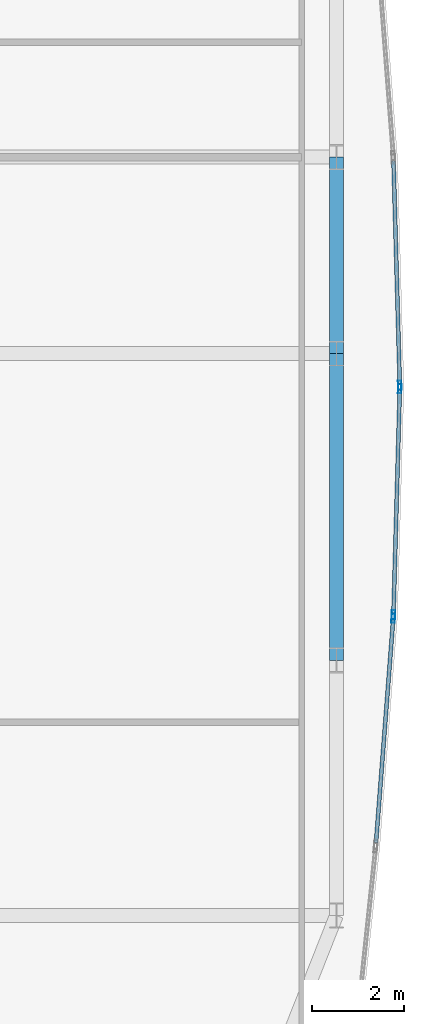
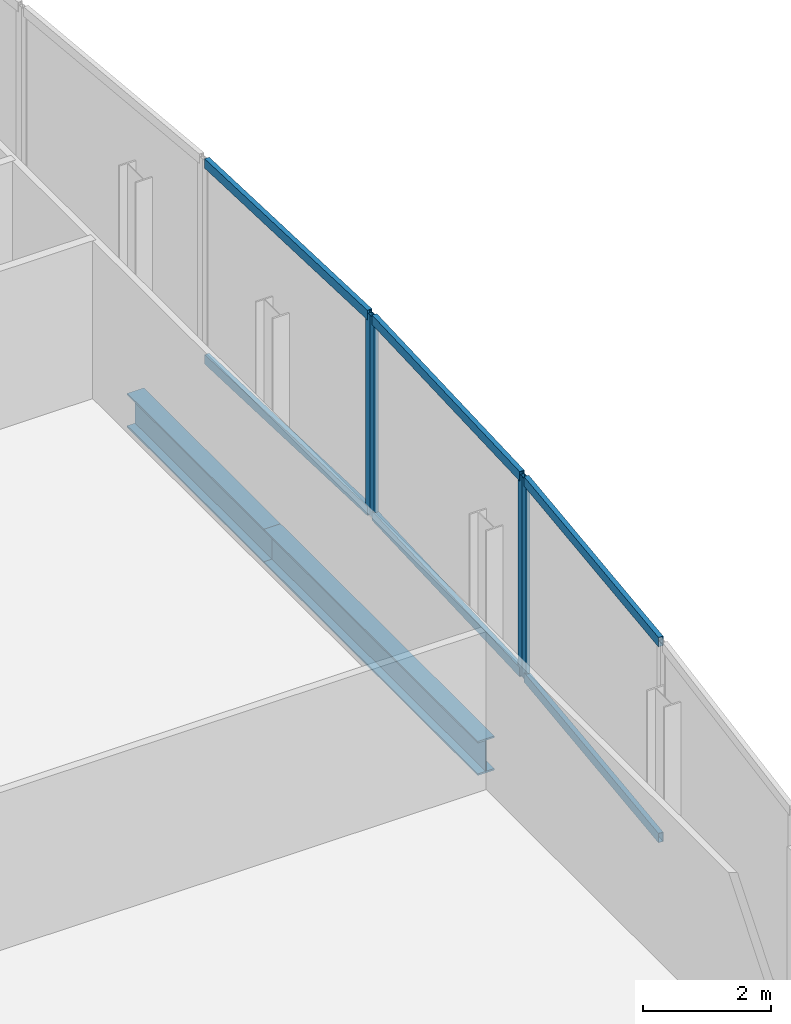
# One storey, part 22 of 30: 10 members, 2 beams, 3 elements without a shape of their own.
"""IFC4 building model written with IfcOpenShell, lengths in metres."""

from ifc_helpers import new_model, si_unit, direction, frame, origin, origin_2d, place, context, subcontext, project, spatial, hollow_rectangle, i_section, extrude, material, material_profile, profile_set, type_object, element, aggregate, save


model = new_model("IFC4")

# Units and contexts
model_context = context("Model", 3, precision=1e-05, world=origin(), true_north=direction((0.0, 1.0)))
body_context = subcontext(model_context, "Body", "Model", "MODEL_VIEW")
ifc_project = project(units=[si_unit("LENGTHUNIT", "METRE"), si_unit("AREAUNIT", "SQUARE_METRE"), si_unit("VOLUMEUNIT", "CUBIC_METRE"), si_unit("PLANEANGLEUNIT", "RADIAN"), si_unit("MASSUNIT", "GRAM", prefix="KILO")], contexts=[model_context])

# Site, building, storey
site_placement = place(None, origin())
site = spatial("IfcSite", under=ifc_project, at=site_placement, CompositionType="ELEMENT")
building_placement = place(site_placement, origin())
building = spatial("IfcBuilding", under=site, at=building_placement, Name="Khoronbel Lancet Exchange", CompositionType="ELEMENT")
storey_placement = place(building_placement, frame((0.0, 0.0, 98.60009765625)))
storey = spatial("IfcBuildingStorey", under=building, at=storey_placement, Name="L23", CompositionType="ELEMENT", Elevation=98.60009765625)

# Beams
ifc_material_1 = material(Name="Steel S355", Category="steel")
ifc_material_profile_1 = material_profile(ifc_material_1, i_section(OverallWidth=0.300048828125, OverallDepth=0.64990234375, WebThickness=0.01611328125, FlangeThickness=0.031005859375, at=origin_2d()), Name="HEB 650")
ifc_profile_set_1 = profile_set([ifc_material_profile_1], Name="Steel S355")
beam_type = type_object("IfcBeamType", Name="BM-BSP1", PredefinedType="SPANDREL", material=ifc_profile_set_1)
beam_1_placement = place(storey_placement, frame((69.6298828125, 24.75, -0.505126953125), z_axis=(0.0, 1.0, 0.0), x_axis=(-1.0, 0.0, 0.0)))
element("IfcBeam", 1, at=beam_1_placement, inside=storey, type_object=beam_type, Name="Level L23 perimeter spandrel beam SP12", PredefinedType="SPANDREL", context=body_context, shape_type="SweptSolid", body=[
    extrude(i_section(OverallWidth=0.300048828125, OverallDepth=0.64990234375, WebThickness=0.01611328125, FlangeThickness=0.031005859375, at=origin_2d()), origin(), (0.0, 0.0, 1.0), 6.675048828125),
])
beam_2_placement = place(storey_placement, frame((69.6298828125, 31.425048828125, -0.505126953125), z_axis=(0.0, 1.0, 0.0), x_axis=(-1.0, 0.0, 0.0)))
element("IfcBeam", 2, at=beam_2_placement, inside=storey, type_object=beam_type, Name="Level L23 perimeter spandrel beam SP13", PredefinedType="SPANDREL", context=body_context, shape_type="SweptSolid", body=[
    extrude(i_section(OverallWidth=0.300048828125, OverallDepth=0.64990234375, WebThickness=0.01611328125, FlangeThickness=0.031005859375, at=origin_2d()), origin(), (0.0, 0.0, 1.0), 4.27490234375),
])

# Curtain wall, member
ifc_material_2 = material(Name="Low-E Solar Control Insulating Glass", Category="glass")
curtain_wall_type = type_object("IfcCurtainWallType", Name="CW-4", PredefinedType="NOTDEFINED", material=ifc_material_2)
curtain_wall_1_placement = place(storey_placement, origin())
curtain_wall_1 = element("IfcCurtainWall", 3, at=curtain_wall_1_placement, inside=storey, type_object=curtain_wall_type, Name="Unitised curtain wall CW-L23-E19", PredefinedType="NOTDEFINED")
ifc_material_3 = material(Name="Bronze-Anodised Aluminium 6063-T6", Category="aluminium")
ifc_material_profile_2 = material_profile(ifc_material_3, hollow_rectangle(XDim=0.074951171875, YDim=0.199951171875, WallThickness=0.0048828125, at=origin_2d()), Name="ALU MULLION 75x200")
ifc_profile_set_2 = profile_set([ifc_material_profile_2], Name="Bronze-Anodised Aluminium 6063-T6")
member_type_1 = type_object("IfcMemberType", Name="MEM-CWM2", PredefinedType="MULLION", material=ifc_profile_set_2)
member_1_placement = place(storey_placement, frame((71.009033203125, 30.737548828125, 0.0), z_axis=(0.0, 0.0, 1.0), x_axis=(0.999604123662, 0.028135315146, 0.0)))
member_1 = element("IfcMember", 4, at=member_1_placement, type_object=member_type_1, Name="CW4 mullion 2", PredefinedType="MULLION", context=body_context, shape_type="SweptSolid", body=[
    extrude(hollow_rectangle(XDim=0.074951171875, YDim=0.199951171875, WallThickness=0.0048828125, at=origin_2d()), origin(), (0.0, 0.0, 1.0), 3.81982421875),
])

# Curtain wall, members
curtain_wall_2_placement = place(storey_placement, origin())
curtain_wall_2 = element("IfcCurtainWall", 5, at=curtain_wall_2_placement, inside=storey, type_object=curtain_wall_type, Name="Unitised curtain wall CW-L23-E20", PredefinedType="NOTDEFINED")
member_2_placement = place(storey_placement, frame((71.009033203125, 30.66259765625, 0.0), z_axis=(0.0, 0.0, 1.0), x_axis=(0.999604123662, -0.028135315146, 0.0)))
member_2 = element("IfcMember", 6, at=member_2_placement, type_object=member_type_1, Name="CW4 mullion 1", PredefinedType="MULLION", context=body_context, shape_type="SweptSolid", body=[
    extrude(hollow_rectangle(XDim=0.074951171875, YDim=0.199951171875, WallThickness=0.0048828125, at=origin_2d()), origin(), (0.0, 0.0, 1.0), 3.81982421875),
])
member_3_placement = place(storey_placement, frame((70.870361328125, 25.7421875, 0.0), z_axis=(0.0, 0.0, 1.0), x_axis=(0.999604123662, -0.028135315146, 0.0)))
member_3 = element("IfcMember", 7, at=member_3_placement, type_object=member_type_1, Name="CW4 mullion 2", PredefinedType="MULLION", context=body_context, shape_type="SweptSolid", body=[
    extrude(hollow_rectangle(XDim=0.074951171875, YDim=0.199951171875, WallThickness=0.0048828125, at=origin_2d()), origin(), (0.0, 0.0, 1.0), 3.81982421875),
])

# Curtain wall, member
curtain_wall_3_placement = place(storey_placement, origin())
curtain_wall_3 = element("IfcCurtainWall", 8, at=curtain_wall_3_placement, inside=storey, type_object=curtain_wall_type, Name="Unitised curtain wall CW-L23-E21", PredefinedType="NOTDEFINED")
member_4_placement = place(storey_placement, frame((70.866455078125, 25.667236328125, 0.0), z_axis=(0.0, 0.0, 1.0), x_axis=(0.997059882555, -0.076626304874, 0.0)))
member_4 = element("IfcMember", 9, at=member_4_placement, type_object=member_type_1, Name="CW4 mullion 1", PredefinedType="MULLION", context=body_context, shape_type="SweptSolid", body=[
    extrude(hollow_rectangle(XDim=0.074951171875, YDim=0.199951171875, WallThickness=0.0048828125, at=origin_2d()), origin(), (0.0, 0.0, 1.0), 3.81982421875),
])

# Member
ifc_material_profile_3 = material_profile(ifc_material_3, hollow_rectangle(XDim=0.0849609375, YDim=0.179931640625, WallThickness=0.0048828125, at=origin_2d()), Name="ALU TRANSOM 85x180")
ifc_profile_set_3 = profile_set([ifc_material_profile_3], Name="Bronze-Anodised Aluminium 6063-T6")
member_type_2 = type_object("IfcMemberType", Name="MEM-CWT1", PredefinedType="USERDEFINED", material=ifc_profile_set_3)
member_5_placement = place(storey_placement, frame((70.87158203125, 35.620361328125, 0.04248046875), z_axis=(0.028103975057, -0.999605005283, 0.0), x_axis=(0.999605005283, 0.028103975057, 0.0)))
member_5 = element("IfcMember", 10, at=member_5_placement, type_object=member_type_2, Name="CW4 transom 1.1", ObjectType="TRANSOM", PredefinedType="USERDEFINED", context=body_context, shape_type="SweptSolid", body=[
    extrude(hollow_rectangle(XDim=0.0849609375, YDim=0.179931640625, WallThickness=0.0048828125, at=origin_2d()), origin(), (0.0, 0.0, 1.0), 4.847412109375),
])

member_6_placement = place(storey_placement, frame((70.87158203125, 35.620361328125, 3.77734375), z_axis=(0.028103975057, -0.999605005283, 0.0), x_axis=(0.999605005283, 0.028103975057, 0.0)))
member_6 = element("IfcMember", 11, at=member_6_placement, type_object=member_type_2, Name="CW4 transom 1.2", ObjectType="TRANSOM", PredefinedType="USERDEFINED", context=body_context, shape_type="SweptSolid", body=[
    extrude(hollow_rectangle(XDim=0.0849609375, YDim=0.179931640625, WallThickness=0.0048828125, at=origin_2d()), origin(), (0.0, 0.0, 1.0), 4.847412109375),
])

aggregate(curtain_wall_1, [member_1, member_5, member_6])

member_7_placement = place(storey_placement, frame((71.0078125, 30.625, 0.04248046875), z_axis=(-0.028105390041, -0.999604965499, 0.0), x_axis=(0.999604965499, -0.028105390041, 0.0)))
member_7 = element("IfcMember", 12, at=member_7_placement, type_object=member_type_2, Name="CW4 transom 1.1", ObjectType="TRANSOM", PredefinedType="USERDEFINED", context=body_context, shape_type="SweptSolid", body=[
    extrude(hollow_rectangle(XDim=0.0849609375, YDim=0.179931640625, WallThickness=0.0048828125, at=origin_2d()), origin(), (0.0, 0.0, 1.0), 4.84716796875),
])

member_8_placement = place(storey_placement, frame((71.0078125, 30.625, 3.77734375), z_axis=(-0.028105390041, -0.999604965499, 0.0), x_axis=(0.999604965499, -0.028105390041, 0.0)))
member_8 = element("IfcMember", 13, at=member_8_placement, type_object=member_type_2, Name="CW4 transom 1.2", ObjectType="TRANSOM", PredefinedType="USERDEFINED", context=body_context, shape_type="SweptSolid", body=[
    extrude(hollow_rectangle(XDim=0.0849609375, YDim=0.179931640625, WallThickness=0.0048828125, at=origin_2d()), origin(), (0.0, 0.0, 1.0), 4.84716796875),
])

aggregate(curtain_wall_2, [member_2, member_3, member_7, member_8])

member_9_placement = place(storey_placement, frame((70.86376953125, 25.6298828125, 0.04248046875), z_axis=(-0.076638891079, -0.997058915197, 0.0), x_axis=(0.997058915197, -0.076638891079, 0.0)))
member_9 = element("IfcMember", 14, at=member_9_placement, type_object=member_type_2, Name="CW4 transom 1.1", ObjectType="TRANSOM", PredefinedType="USERDEFINED", context=body_context, shape_type="SweptSolid", body=[
    extrude(hollow_rectangle(XDim=0.0849609375, YDim=0.179931640625, WallThickness=0.0048828125, at=origin_2d()), origin(), (0.0, 0.0, 1.0), 4.861328125),
])

member_10_placement = place(storey_placement, frame((70.86376953125, 25.6298828125, 3.77734375), z_axis=(-0.076638891079, -0.997058915197, 0.0), x_axis=(0.997058915197, -0.076638891079, 0.0)))
member_10 = element("IfcMember", 15, at=member_10_placement, type_object=member_type_2, Name="CW4 transom 1.2", ObjectType="TRANSOM", PredefinedType="USERDEFINED", context=body_context, shape_type="SweptSolid", body=[
    extrude(hollow_rectangle(XDim=0.0849609375, YDim=0.179931640625, WallThickness=0.0048828125, at=origin_2d()), origin(), (0.0, 0.0, 1.0), 4.861328125),
])

aggregate(curtain_wall_3, [member_4, member_9, member_10])

save(model, "model.ifc")
